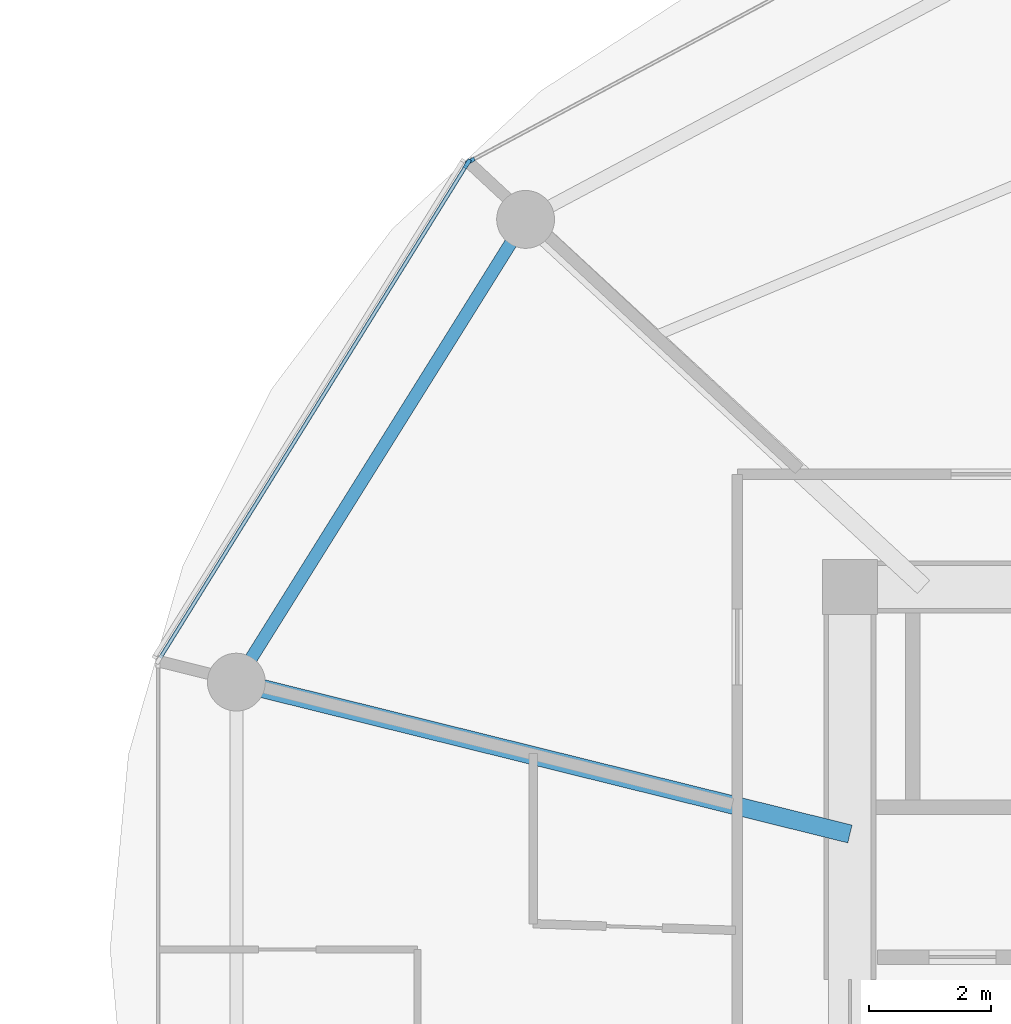
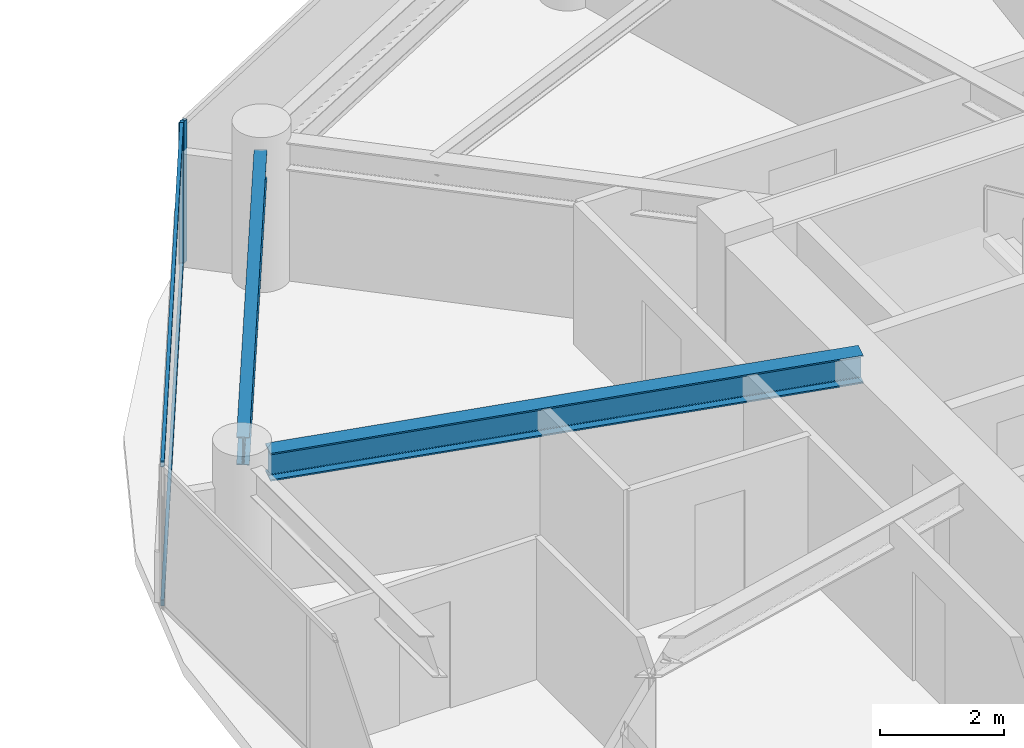
# One storey, part 8 of 27: 4 members, 2 beams, 2 elements without a shape of their own.
"""IFC4 building model written with IfcOpenShell, lengths in metres."""

from ifc_helpers import new_model, si_unit, direction, frame, origin, origin_2d, place, context, subcontext, project, spatial, rectangle, i_section, extrude, source, transform, mapped, material, layer, layer_set, material_profile, profile_set, type_object, type_shapes, element, aggregate, save


model = new_model("IFC4")

# Units and contexts
model_context = context("Model", 3, precision=1e-05, world=origin(), true_north=direction((0.0, 1.0)))
body_context = subcontext(model_context, "Body", "Model", "MODEL_VIEW")
ifc_project = project(units=[si_unit("LENGTHUNIT", "METRE"), si_unit("AREAUNIT", "SQUARE_METRE"), si_unit("VOLUMEUNIT", "CUBIC_METRE"), si_unit("PLANEANGLEUNIT", "RADIAN"), si_unit("MASSUNIT", "GRAM", prefix="KILO")], contexts=[model_context])

# Site, building, storey
site_placement = place(None, origin())
site = spatial("IfcSite", under=ifc_project, at=site_placement, CompositionType="ELEMENT")
building_placement = place(site_placement, origin())
building = spatial("IfcBuilding", under=site, at=building_placement, Name="Norrkilde Senior Care Towers", CompositionType="ELEMENT")
storey_placement = place(building_placement, frame((0.0, 0.0, 30.75)))
storey = spatial("IfcBuildingStorey", under=building, at=storey_placement, Name="L08", CompositionType="ELEMENT", Elevation=30.75)

# Beams
ifc_material_1 = material(Name="Steel S355", Category="steel")
ifc_material_profile_1 = material_profile(ifc_material_1, i_section(OverallWidth=0.2099609375, OverallDepth=0.550048828125, WebThickness=0.010986328125, FlangeThickness=0.01708984375, FilletRadius=0.02392578125, at=origin_2d()), Name="IPE 550")
ifc_profile_set_1 = profile_set([ifc_material_profile_1], Name="Steel S355")
beam_type_1 = type_object("IfcBeamType", Name="Perimeter Ring Spandrel Z1 IPE550", PredefinedType="SPANDREL", material=ifc_profile_set_1)
shared_shape_1 = source(origin(), body_context, "Body", "SweptSolid", [
    extrude(i_section(OverallWidth=0.2099609375, OverallDepth=0.550048828125, WebThickness=0.010986328125, FlangeThickness=0.01708984375, FilletRadius=0.02392578125, at=origin_2d()), origin(), (0.0, 0.0, 1.0), 8.090576171875),
])
type_shapes(beam_type_1, [shared_shape_1])
beam_1_placement = place(storey_placement, frame((14.7939453125, 11.61669921875, 2.514892578125), z_axis=(-0.530004364821, -0.84799491347, 0.0), x_axis=(0.84799491347, -0.530004364821, 0.0)))
element("IfcBeam", 1, at=beam_1_placement, inside=storey, type_object=beam_type_1, Name="L08 Drum E Perimeter Spandrel 05", PredefinedType="SPANDREL", context=body_context, shape_type="MappedRepresentation", body=[
    mapped(shared_shape_1, transform((0.0, 0.0, 0.0), x_axis=(1.0, 0.0, 0.0), y_axis=(0.0, 1.0, 0.0), z_axis=(0.0, 0.0, 1.0), scale=1.0)),
])
ifc_material_profile_2 = material_profile(ifc_material_1, i_section(OverallWidth=0.300048828125, OverallDepth=0.550048828125, WebThickness=0.014892578125, FlangeThickness=0.029052734375, FilletRadius=0.027099609375, at=origin_2d()), Name="HEB 550")
ifc_profile_set_2 = profile_set([ifc_material_profile_2], Name="Steel S355")
beam_type_2 = type_object("IfcBeamType", Name="Radial Floor Beam Z1 HEB550", PredefinedType="BEAM", material=ifc_profile_set_2)
shared_shape_2 = source(origin(), body_context, "Body", "SweptSolid", [
    extrude(i_section(OverallWidth=0.300048828125, OverallDepth=0.550048828125, WebThickness=0.014892578125, FlangeThickness=0.029052734375, FilletRadius=0.027099609375, at=origin_2d()), origin(), (0.0, 0.0, 1.0), 9.94384765625),
])
type_shapes(beam_type_2, [shared_shape_2])
beam_2_placement = place(storey_placement, frame((20.35009765625, 1.893310546875, 2.514892578125), z_axis=(-0.970707425182, 0.240264634718, 0.0), x_axis=(-0.240264634718, -0.970707425182, 0.0)))
element("IfcBeam", 2, at=beam_2_placement, inside=storey, type_object=beam_type_2, Name="L08 Drum E Radial Floor Beam 06", PredefinedType="BEAM", context=body_context, shape_type="MappedRepresentation", body=[
    mapped(shared_shape_2, transform((0.0, 0.0, 0.0), x_axis=(1.0, 0.0, 0.0), y_axis=(0.0, 1.0, 0.0), z_axis=(0.0, 0.0, 1.0), scale=1.0)),
])

# Curtain wall, member
ifc_material_2 = material(Name="Triple Low-E Insulated Glazing", Category="glass")
ifc_layer = layer(ifc_material_2, 0.199951171875)
ifc_layer_set = layer_set([ifc_layer], Name="Triple Low-E Insulated Glazing")
curtain_wall_type = type_object("IfcCurtainWallType", Name="CW2 Zone 1 Memory Care Curtain Wall", PredefinedType="NOTDEFINED", material=ifc_layer_set)
curtain_wall_1_placement = place(storey_placement, origin())
curtain_wall_1 = element("IfcCurtainWall", 3, at=curtain_wall_1_placement, inside=storey, type_object=curtain_wall_type, Name="L08 Drum E Curtain Wall 03", PredefinedType="NOTDEFINED")
ifc_material_3 = material(Name="Anodised Aluminium", Category="aluminium")
ifc_material_profile_3 = material_profile(ifc_material_3, rectangle(XDim=0.06494140625, YDim=0.159912109375, at=origin_2d()), Name="ALU MULL 65x160")
ifc_profile_set_3 = profile_set([ifc_material_profile_3], Name="Anodised Aluminium")
member_type_1 = type_object("IfcMemberType", Name="Curtain Wall Mullion Z1-Z2 65x160", PredefinedType="MULLION", material=ifc_profile_set_3)
shared_shape_3 = source(origin(), body_context, "Body", "SweptSolid", [
    extrude(rectangle(XDim=0.06494140625, YDim=0.159912109375, at=origin_2d()), origin(), (0.0, 0.0, 1.0), 2.7900390625),
])
type_shapes(member_type_1, [shared_shape_3])
member_1_placement = place(storey_placement, frame((14.11279296875, 12.941162109375, 0.0), z_axis=(0.0, 0.0, 1.0), x_axis=(-0.472607802456, 0.881272866403, 0.0)))
member_1 = element("IfcMember", 4, at=member_1_placement, type_object=member_type_1, Name="CW-2 mullion 1", PredefinedType="MULLION", context=body_context, shape_type="MappedRepresentation", body=[
    mapped(shared_shape_3, transform((0.0, 0.0, 0.0), x_axis=(1.0, 0.0, 0.0), y_axis=(0.0, 1.0, 0.0), z_axis=(0.0, 0.0, 1.0), scale=1.0)),
])
aggregate(curtain_wall_1, [member_1])

# Curtain wall, members
curtain_wall_2_placement = place(storey_placement, origin())
curtain_wall_2 = element("IfcCurtainWall", 5, at=curtain_wall_2_placement, inside=storey, type_object=curtain_wall_type, Name="L08 Drum E Curtain Wall 04", PredefinedType="NOTDEFINED")
member_2_placement = place(storey_placement, frame((14.06689453125, 12.898193359375, 0.0), z_axis=(0.0, 0.0, 1.0), x_axis=(-0.849305943117, 0.527900951871, 0.0)))
member_2 = element("IfcMember", 6, at=member_2_placement, type_object=member_type_1, Name="CW-2 mullion 2", PredefinedType="MULLION", context=body_context, shape_type="MappedRepresentation", body=[
    mapped(shared_shape_3, transform((0.0, 0.0, 0.0), x_axis=(1.0, 0.0, 0.0), y_axis=(0.0, 1.0, 0.0), z_axis=(0.0, 0.0, 1.0), scale=1.0)),
])
ifc_material_profile_4 = material_profile(ifc_material_3, rectangle(XDim=0.06005859375, YDim=0.1201171875, at=origin_2d()), Name="ALU TRAN 60x120")
ifc_profile_set_4 = profile_set([ifc_material_profile_4], Name="Anodised Aluminium")
member_type_2 = type_object("IfcMemberType", Name="Curtain Wall Transom Typical 60x120", PredefinedType="USERDEFINED", material=ifc_profile_set_4)
shared_shape_4 = source(origin(), body_context, "Body", "SweptSolid", [
    extrude(rectangle(XDim=0.06005859375, YDim=0.1201171875, at=origin_2d()), origin(), (0.0, 0.0, 1.0), 9.5185546875),
])
type_shapes(member_type_2, [shared_shape_4])
member_3_placement = place(storey_placement, frame((9.02490234375, 4.786376953125, 0.030029296875), z_axis=(0.527901620669, 0.849305527413, 0.0), x_axis=(-0.849305527413, 0.527901620669, 0.0)))
member_3 = element("IfcMember", 7, at=member_3_placement, type_object=member_type_2, Name="CW-2 transom 1.1", ObjectType="TRANSOM", PredefinedType="USERDEFINED", context=body_context, shape_type="MappedRepresentation", body=[
    mapped(shared_shape_4, transform((0.0, 0.0, 0.0), x_axis=(1.0, 0.0, 0.0), y_axis=(0.0, 1.0, 0.0), z_axis=(0.0, 0.0, 1.0), scale=1.0)),
])
member_4_placement = place(storey_placement, frame((9.02490234375, 4.786376953125, 2.760009765625), z_axis=(0.527901620669, 0.849305527413, 0.0), x_axis=(-0.849305527413, 0.527901620669, 0.0)))
member_4 = element("IfcMember", 8, at=member_4_placement, type_object=member_type_2, Name="CW-2 transom 1.2", ObjectType="TRANSOM", PredefinedType="USERDEFINED", context=body_context, shape_type="MappedRepresentation", body=[
    mapped(shared_shape_4, transform((0.0, 0.0, 0.0), x_axis=(1.0, 0.0, 0.0), y_axis=(0.0, 1.0, 0.0), z_axis=(0.0, 0.0, 1.0), scale=1.0)),
])
aggregate(curtain_wall_2, [member_2, member_3, member_4])

save(model, "model.ifc")
